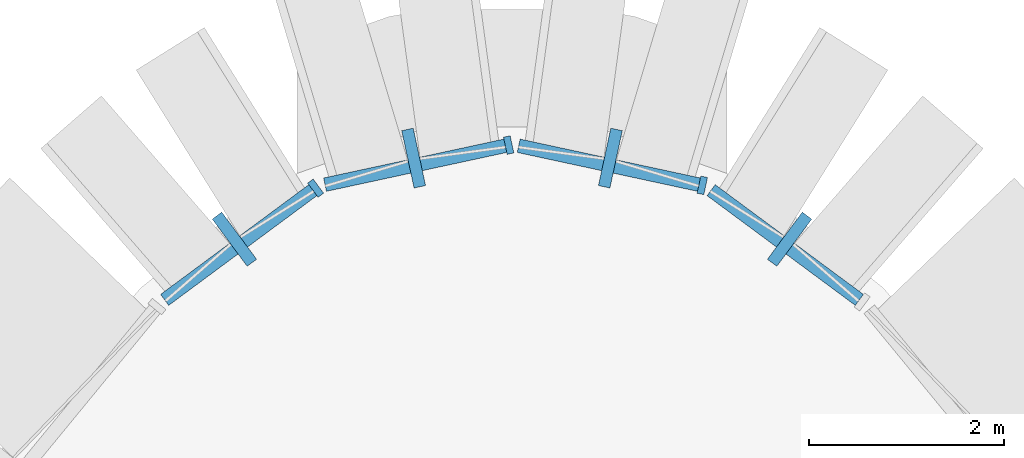
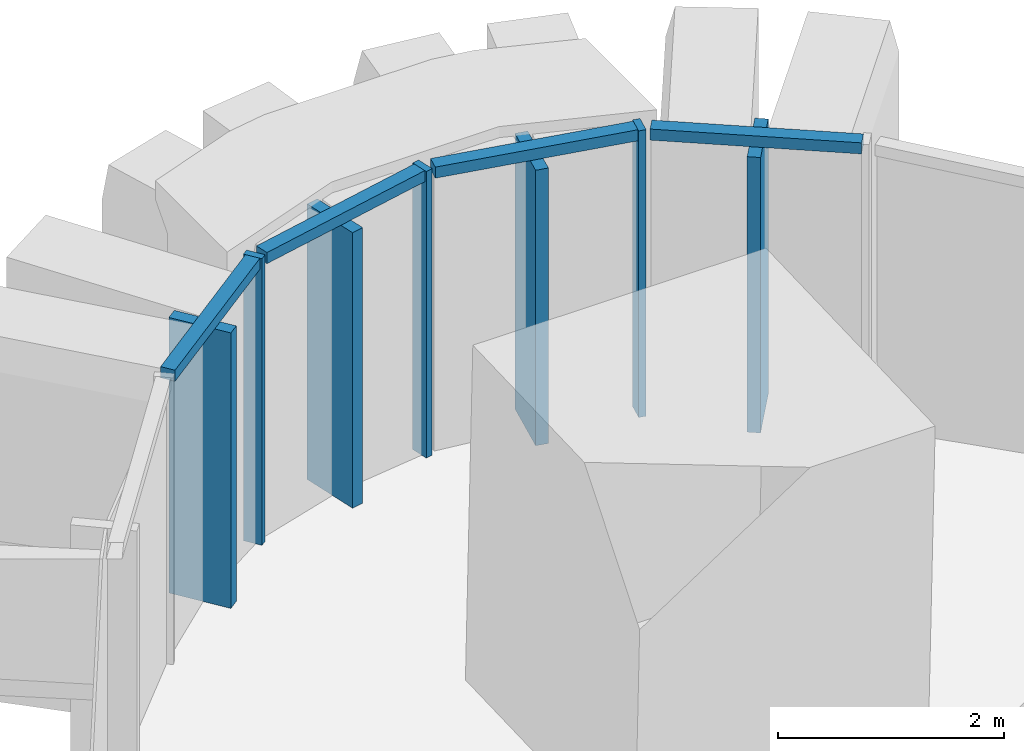
# One storey, part 9 of 23: 11 members, 4 elements without a shape of their own.
"""IFC4 building model written with IfcOpenShell, lengths in metres."""

from ifc_helpers import new_model, si_unit, direction, frame, origin, origin_2d, place, context, subcontext, project, spatial, rectangle, extrude, material, layer, layer_set, material_profile, profile_set, type_object, element, aggregate, save


model = new_model("IFC4")

# Units and contexts
model_context = context("Model", 3, precision=1e-05, world=origin(), true_north=direction((0.0, 1.0)))
body_context = subcontext(model_context, "Body", "Model", "MODEL_VIEW")
ifc_project = project(units=[si_unit("LENGTHUNIT", "METRE"), si_unit("AREAUNIT", "SQUARE_METRE"), si_unit("VOLUMEUNIT", "CUBIC_METRE"), si_unit("PLANEANGLEUNIT", "RADIAN"), si_unit("MASSUNIT", "GRAM", prefix="KILO")], contexts=[model_context])

# Site, building, storey
site_placement = place(None, origin())
site = spatial("IfcSite", under=ifc_project, at=site_placement, CompositionType="ELEMENT")
building_placement = place(site_placement, origin())
building = spatial("IfcBuilding", under=site, at=building_placement, Name="Sierra Prisma Convention Tower", CompositionType="ELEMENT")
storey_placement = place(building_placement, frame((0.0, 0.0, 51.699951171875)))
storey = spatial("IfcBuildingStorey", under=building, at=storey_placement, Name="L08", CompositionType="ELEMENT", Elevation=51.699951171875)

# Curtain wall, member
ifc_material_1 = material(Name="Aluminium and glass curtain wall", Category="aluminium")
ifc_layer = layer(ifc_material_1, 0.179931640625)
ifc_layer_set = layer_set([ifc_layer], Name="CW-2 Faceted crystal curtain wall")
curtain_wall_type = type_object("IfcCurtainWallType", Name="CW-2 Faceted crystal curtain wall", PredefinedType="NOTDEFINED", material=ifc_layer_set)
curtain_wall_1_placement = place(storey_placement, origin())
curtain_wall_1 = element("IfcCurtainWall", 1, at=curtain_wall_1_placement, inside=storey, type_object=curtain_wall_type, Name="CW-2 N1 L08", PredefinedType="NOTDEFINED")
ifc_material_2 = material(Name="Aluminium 6063-T6 bronze anodised", Category="aluminium")
ifc_material_profile_1 = material_profile(ifc_material_2, rectangle(XDim=0.1201171875, YDim=0.60009765625, at=origin_2d()), Name="ALU RIDGE BLADE 120x600")
ifc_profile_set_1 = profile_set([ifc_material_profile_1], Name="Aluminium 6063-T6 bronze anodised")
member_type_1 = type_object("IfcMemberType", Name="CW hip bronze", PredefinedType="MULLION", material=ifc_profile_set_1)
member_1_placement = place(storey_placement, frame((2.83984375, 35.161865234375, 0.0), z_axis=(0.0, 0.0, 1.0), x_axis=(-0.803756218209, 0.594958773101, 0.0)))
member_1 = element("IfcMember", 2, at=member_1_placement, type_object=member_type_1, Name="CW-2 ridge N1.1", PredefinedType="MULLION", context=body_context, shape_type="SweptSolid", body=[
    extrude(rectangle(XDim=0.1201171875, YDim=0.60009765625, at=origin_2d()), origin(), (0.0, 0.0, 1.0), 2.97998046875),
])

curtain_wall_2_placement = place(storey_placement, origin())
curtain_wall_2 = element("IfcCurtainWall", 3, at=curtain_wall_2_placement, inside=storey, type_object=curtain_wall_type, Name="CW-2 N2 L08", PredefinedType="NOTDEFINED")
member_2_placement = place(storey_placement, frame((1.00634765625, 35.991455078125, 0.0), z_axis=(0.0, 0.0, 1.0), x_axis=(-0.977526786, 0.210811248877, 0.0)))
member_2 = element("IfcMember", 4, at=member_2_placement, type_object=member_type_1, Name="CW-2 ridge N2.1", PredefinedType="MULLION", context=body_context, shape_type="SweptSolid", body=[
    extrude(rectangle(XDim=0.1201171875, YDim=0.60009765625, at=origin_2d()), origin(), (0.0, 0.0, 1.0), 2.97998046875),
])

curtain_wall_3_placement = place(storey_placement, origin())
curtain_wall_3 = element("IfcCurtainWall", 5, at=curtain_wall_3_placement, inside=storey, type_object=curtain_wall_type, Name="CW-2 N3 L08", PredefinedType="NOTDEFINED")
member_3_placement = place(storey_placement, frame((-1.00634765625, 35.991455078125, 0.0), z_axis=(0.0, 0.0, 1.0), x_axis=(-0.977526786, -0.210811248877, 0.0)))
member_3 = element("IfcMember", 6, at=member_3_placement, type_object=member_type_1, Name="CW-2 ridge N3.1", PredefinedType="MULLION", context=body_context, shape_type="SweptSolid", body=[
    extrude(rectangle(XDim=0.1201171875, YDim=0.60009765625, at=origin_2d()), origin(), (0.0, 0.0, 1.0), 2.97998046875),
])

curtain_wall_4_placement = place(storey_placement, origin())
curtain_wall_4 = element("IfcCurtainWall", 7, at=curtain_wall_4_placement, inside=storey, type_object=curtain_wall_type, Name="CW-2 N4 L08", PredefinedType="NOTDEFINED")
member_4_placement = place(storey_placement, frame((-2.83984375, 35.161865234375, 0.0), z_axis=(0.0, 0.0, 1.0), x_axis=(-0.803756218209, -0.594958773101, 0.0)))
member_4 = element("IfcMember", 8, at=member_4_placement, type_object=member_type_1, Name="CW-2 ridge N4.1", PredefinedType="MULLION", context=body_context, shape_type="SweptSolid", body=[
    extrude(rectangle(XDim=0.1201171875, YDim=0.60009765625, at=origin_2d()), origin(), (0.0, 0.0, 1.0), 2.97998046875),
])

# Member
ifc_material_3 = material(Name="Aluminium 6063-T6 bronze anodised", Category="aluminium")
ifc_material_profile_2 = material_profile(ifc_material_3, rectangle(XDim=0.179931640625, YDim=0.070068359375, at=origin_2d()), Name="ALU MULLION 70x180")
ifc_profile_set_2 = profile_set([ifc_material_profile_2], Name="Aluminium 6063-T6 bronze anodised")
member_type_2 = type_object("IfcMemberType", Name="CW mullion bronze", PredefinedType="MULLION", material=ifc_profile_set_2)
member_5_placement = place(storey_placement, frame((1.947021484375, 35.712646484375, 0.0), z_axis=(0.0, 0.0, 1.0), x_axis=(-0.210811248877, -0.977526786, 0.0)))
member_5 = element("IfcMember", 9, at=member_5_placement, type_object=member_type_2, Name="CW-1 mullion N2.1", PredefinedType="MULLION", context=body_context, shape_type="SweptSolid", body=[
    extrude(rectangle(XDim=0.179931640625, YDim=0.070068359375, at=origin_2d()), origin(), (0.0, 0.0, 1.0), 3.10009765625),
])

member_6_placement = place(storey_placement, frame((-0.0341796875, 36.125, 0.0), z_axis=(0.0, 0.0, 1.0), x_axis=(0.210811248877, -0.977526786, 0.0)))
member_6 = element("IfcMember", 10, at=member_6_placement, type_object=member_type_2, Name="CW-1 mullion N3.1", PredefinedType="MULLION", context=body_context, shape_type="SweptSolid", body=[
    extrude(rectangle(XDim=0.179931640625, YDim=0.070068359375, at=origin_2d()), origin(), (0.0, 0.0, 1.0), 3.10009765625),
])

member_7_placement = place(storey_placement, frame((-2.00927734375, 35.684326171875, 0.0), z_axis=(0.0, 0.0, 1.0), x_axis=(0.594958773101, -0.803756218209, 0.0)))
member_7 = element("IfcMember", 11, at=member_7_placement, type_object=member_type_2, Name="CW-1 mullion N4.1", PredefinedType="MULLION", context=body_context, shape_type="SweptSolid", body=[
    extrude(rectangle(XDim=0.179931640625, YDim=0.070068359375, at=origin_2d()), origin(), (0.0, 0.0, 1.0), 3.10009765625),
])

ifc_material_4 = material(Name="Aluminium 6063-T6 bronze anodised", Category="aluminium")
ifc_material_profile_3 = material_profile(ifc_material_4, rectangle(XDim=0.139892578125, YDim=0.1201171875, at=origin_2d()), Name="ALU TRANSOM 120x140")
ifc_profile_set_3 = profile_set([ifc_material_profile_3], Name="Aluminium 6063-T6 bronze anodised")
member_type_3 = type_object("IfcMemberType", Name="CW transom bronze", PredefinedType="USERDEFINED", material=ifc_profile_set_3)
member_8_placement = place(storey_placement, frame((3.553955078125, 34.541015625, 3.0400390625), z_axis=(-0.803726795411, 0.59499851961, 0.0), x_axis=(-0.59499851961, -0.803726795411, 0.0)))
member_8 = element("IfcMember", 12, at=member_8_placement, type_object=member_type_3, Name="CW-1 transom N1.1", ObjectType="TRANSOM", PredefinedType="USERDEFINED", context=body_context, shape_type="SweptSolid", body=[
    extrude(rectangle(XDim=0.139892578125, YDim=0.1201171875, at=origin_2d()), origin(), (0.0, 0.0, 1.0), 1.88671875),
])

aggregate(curtain_wall_1, [member_8, member_1])

member_9_placement = place(storey_placement, frame((1.912841796875, 35.719970703125, 3.0400390625), z_axis=(-0.977534636937, 0.210774840976, 0.0), x_axis=(-0.210774840976, -0.977534636937, 0.0)))
member_9 = element("IfcMember", 13, at=member_9_placement, type_object=member_type_3, Name="CW-1 transom N2.1", ObjectType="TRANSOM", PredefinedType="USERDEFINED", context=body_context, shape_type="SweptSolid", body=[
    extrude(rectangle(XDim=0.139892578125, YDim=0.1201171875, at=origin_2d()), origin(), (0.0, 0.0, 1.0), 1.886962890625),
])

aggregate(curtain_wall_2, [member_5, member_9, member_2])

member_10_placement = place(storey_placement, frame((-0.068359375, 36.11767578125, 3.0400390625), z_axis=(-0.977534636937, -0.210774840976, 0.0), x_axis=(0.210774840976, -0.977534636937, 0.0)))
member_10 = element("IfcMember", 14, at=member_10_placement, type_object=member_type_3, Name="CW-1 transom N3.1", ObjectType="TRANSOM", PredefinedType="USERDEFINED", context=body_context, shape_type="SweptSolid", body=[
    extrude(rectangle(XDim=0.139892578125, YDim=0.1201171875, at=origin_2d()), origin(), (0.0, 0.0, 1.0), 1.886962890625),
])

aggregate(curtain_wall_3, [member_6, member_10, member_3])

member_11_placement = place(storey_placement, frame((-2.03759765625, 35.66357421875, 3.0400390625), z_axis=(-0.803726795411, -0.59499851961, 0.0), x_axis=(0.59499851961, -0.803726795411, 0.0)))
member_11 = element("IfcMember", 15, at=member_11_placement, type_object=member_type_3, Name="CW-1 transom N4.1", ObjectType="TRANSOM", PredefinedType="USERDEFINED", context=body_context, shape_type="SweptSolid", body=[
    extrude(rectangle(XDim=0.139892578125, YDim=0.1201171875, at=origin_2d()), origin(), (0.0, 0.0, 1.0), 1.88671875),
])

aggregate(curtain_wall_4, [member_7, member_11, member_4])

save(model, "model.ifc")
